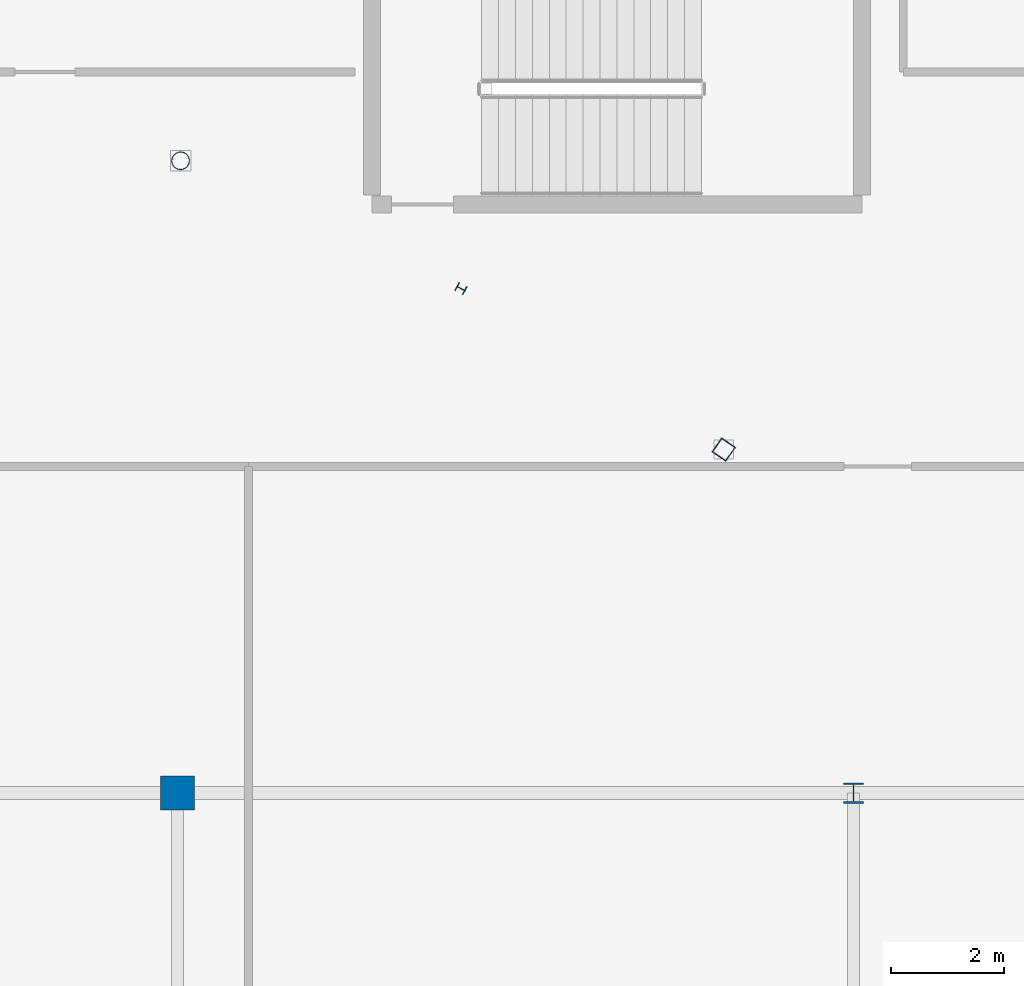
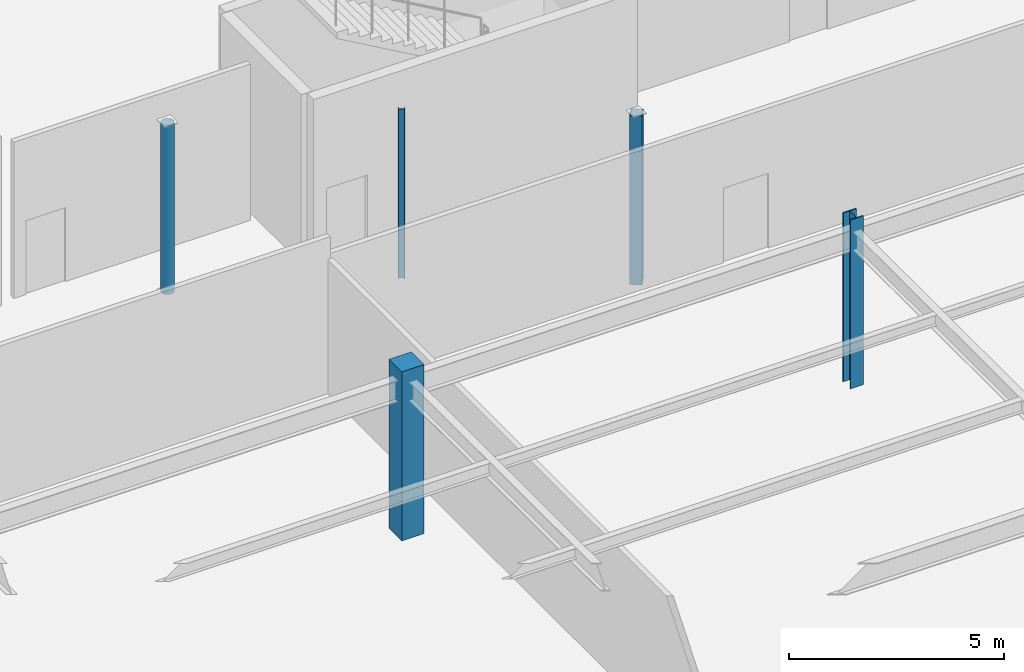
# One storey, part 35 of 199: 5 columns.
"""IFC4 building model written with IfcOpenShell, lengths in metres."""

import ifcopenshell
import ifcopenshell.guid

model = None  # the IFC model being written
_history = None  # IfcOwnerHistory: only IFC2X3 demands one
_inside = {}  # id of a spatial element -> (the spatial element, [elements in it])
_under = {}  # id of a project, library or spatial element -> (it, [spatial elements below it])
_declared = {}  # id of a project -> (the project, [libraries it declares])
_typed = {}  # id of a type object -> (the type object, [elements of that type])
_made_of = {}  # id of a material, layer set ... -> (it, [elements and type objects made of it])


def new_model(schema):
    """Start an empty IFC model of exactly this schema.

    Asked for "IFC4X3", IfcOpenShell would pick the latest addendum, in which some entities
    have other attributes; the version numbers below select the first issue.
    IFC2X3 requires an IfcOwnerHistory on every rooted entity: one is made here for all.
    """
    global model, _history
    if schema == "IFC4X3":
        model = ifcopenshell.file(schema_version=(4, 3, 0, 0))
    else:
        model = ifcopenshell.file(schema=schema)
    _inside.clear()
    _under.clear()
    _declared.clear()
    _typed.clear()
    _made_of.clear()
    _history = None
    if model.schema == "IFC2X3":
        org = make("IfcOrganization", Name="unknown")
        user = make(
            "IfcPersonAndOrganization",
            ThePerson=make("IfcPerson", FamilyName="unknown"),
            TheOrganization=org,
        )
        app = make(
            "IfcApplication",
            ApplicationDeveloper=org,
            Version="unknown",
            ApplicationFullName="unknown",
            ApplicationIdentifier="unknown",
        )
        _history = make(
            "IfcOwnerHistory",
            OwningUser=user,
            OwningApplication=app,
            ChangeAction="ADDED",
            CreationDate=0,
        )
    return model


def make(cls, **values):
    """One entity of the class cls with the attributes given. An attribute that is None is left unset."""
    return model.create_entity(
        cls, **{name: value for name, value in values.items() if value is not None}
    )


def rooted(cls, **values):
    """An entity with a GlobalId (a new one), such as an element, a storey or a relation."""
    return make(cls, GlobalId=ifcopenshell.guid.new(), OwnerHistory=_history, **values)


def si_unit(unit_type, name, prefix=None):
    """IfcSIUnit, for example si_unit("LENGTHUNIT", "METRE", prefix="MILLI")."""
    return make("IfcSIUnit", UnitType=unit_type, Prefix=prefix, Name=name)


def assignment(units):
    """IfcUnitAssignment: the units of a project."""
    return None if units is None else make("IfcUnitAssignment", Units=units)


def point(xyz):
    """IfcCartesianPoint."""
    return None if xyz is None else make("IfcCartesianPoint", Coordinates=xyz)


def direction(xyz):
    """IfcDirection."""
    return None if xyz is None else make("IfcDirection", DirectionRatios=xyz)


def frame(location, z_axis=None, x_axis=None):
    """IfcAxis2Placement3D, a coordinate frame: its origin and axes. An axis left out is left unset."""
    return make(
        "IfcAxis2Placement3D",
        Location=point(location),
        Axis=direction(z_axis),
        RefDirection=direction(x_axis),
    )


def frame_2d(location, x_axis=None):
    """IfcAxis2Placement2D, a coordinate frame in the plane: its origin and x axis."""
    return make(
        "IfcAxis2Placement2D", Location=point(location), RefDirection=direction(x_axis)
    )


def origin():
    """The frame at (0, 0, 0) with its axes left unset."""
    return frame((0.0, 0.0, 0.0))


def origin_2d():
    """The frame at (0, 0) in the plane with its x axis left unset."""
    return frame_2d((0.0, 0.0))


def place(relative_to, where):
    """IfcLocalPlacement: puts the frame where relative to a parent placement (None: the world)."""
    return make(
        "IfcLocalPlacement", PlacementRelTo=relative_to, RelativePlacement=where
    )


def context(
    kind, dimensions, precision=None, world=None, true_north=None, identifier=None
):
    """IfcGeometricRepresentationContext, for example the 3D "Model" context."""
    return make(
        "IfcGeometricRepresentationContext",
        ContextIdentifier=identifier,
        ContextType=kind,
        CoordinateSpaceDimension=dimensions,
        Precision=precision,
        WorldCoordinateSystem=world,
        TrueNorth=true_north,
    )


def subcontext(parent, identifier, kind, view, scale=None):
    """IfcGeometricRepresentationSubContext, for example "Body" below "Model"."""
    return make(
        "IfcGeometricRepresentationSubContext",
        ContextIdentifier=identifier,
        ContextType=kind,
        ParentContext=parent,
        TargetScale=scale,
        TargetView=view,
    )


def project(units=None, contexts=None):
    """IfcProject with its units and contexts."""
    return rooted(
        "IfcProject",
        Name="project",
        RepresentationContexts=contexts,
        UnitsInContext=assignment(units),
    )


def spatial(cls, under=None, at=None, **own):
    """A site, building, storey or space (cls), placed at a placement, below another one or the project."""
    s = rooted(cls, ObjectPlacement=at, **own)
    if under is not None:
        _under.setdefault(under.id(), (under, []))[1].append(s)
    return s


def profile(cls, at=None, kind="AREA", **sizes):
    """A parametric profile (cls). Its sizes go by their IFC names, for example OverallWidth=200.0."""
    return make(cls, ProfileType=kind, Position=at, **sizes)


def rectangle(**sizes):
    """IfcRectangleProfileDef."""
    return profile("IfcRectangleProfileDef", **sizes)


def hollow_rectangle(**sizes):
    """IfcRectangleHollowProfileDef."""
    return profile("IfcRectangleHollowProfileDef", **sizes)


def hollow_circle(**sizes):
    """IfcCircleHollowProfileDef."""
    return profile("IfcCircleHollowProfileDef", **sizes)


def i_section(**sizes):
    """IfcIShapeProfileDef."""
    return profile("IfcIShapeProfileDef", **sizes)


def extrude(swept, where, along, depth):
    """IfcExtrudedAreaSolid: the profile swept, set in the frame where, extruded along a direction by depth."""
    return make(
        "IfcExtrudedAreaSolid",
        SweptArea=swept,
        Position=where,
        ExtrudedDirection=direction(along),
        Depth=depth,
    )


def shape(context_of_items, identifier, shape_type, items):
    """IfcShapeRepresentation: the items that make up one representation, for example the "Body"."""
    return make(
        "IfcShapeRepresentation",
        ContextOfItems=context_of_items,
        RepresentationIdentifier=identifier,
        RepresentationType=shape_type,
        Items=items,
    )


def material(Name=None, Category=None):
    """IfcMaterial."""
    return make("IfcMaterial", Name=Name, Category=Category)


def material_profile(
    of_material, cross_section, Name=None, Category=None, Priority=None
):
    """IfcMaterialProfile: a cross section and its material."""
    return make(
        "IfcMaterialProfile",
        Name=Name,
        Material=of_material,
        Profile=cross_section,
        Priority=Priority,
        Category=Category,
    )


def profile_set(profiles, Name=None, composite=None):
    """IfcMaterialProfileSet."""
    return make(
        "IfcMaterialProfileSet",
        Name=Name,
        MaterialProfiles=profiles,
        CompositeProfile=composite,
    )


def made_of(thing, what):
    """Note that an element or type object is made of a material, layer set ...; save() writes the relation."""
    if what is not None:
        _made_of.setdefault(what.id(), (what, []))[1].append(thing)
    return thing


def type_object(cls, material=None, **own):
    """A type object (cls), such as IfcWallType, which elements share."""
    return made_of(rooted(cls, **own), material)


def element(
    cls,
    number,
    at=None,
    inside=None,
    cuts=None,
    type_object=None,
    material=None,
    context=None,
    identifier="Body",
    shape_type=None,
    held_by="IfcProductDefinitionShape",
    body=None,
    shapes=None,
    **own,
):
    """One element of the class cls, such as IfcWall. Its Tag is "e" and its number.

    at: its placement. inside: the storey or other place that contains it. cuts: it is an
    opening in that element (IfcRelVoidsElement). A single representation is given by context,
    identifier, shape_type and body (its items); several are given by shapes. held_by: the class
    of the entity that holds the representations. save() writes the other relations.
    """
    e = rooted(cls, Tag="e%d" % number, ObjectPlacement=at, **own)
    if body is not None:
        shapes = [shape(context, identifier, shape_type, body)]
    if shapes is not None:
        e.Representation = make(held_by, Representations=shapes)
    if inside is not None:
        _inside.setdefault(inside.id(), (inside, []))[1].append(e)
    if cuts is not None:
        rooted(
            "IfcRelVoidsElement", RelatingBuildingElement=cuts, RelatedOpeningElement=e
        )
    if type_object is not None:
        _typed.setdefault(type_object.id(), (type_object, []))[1].append(e)
    return made_of(e, material)


def aggregate(whole, parts):
    """IfcRelAggregates: a whole, such as a stair, and the parts it consists of."""
    return rooted("IfcRelAggregates", RelatingObject=whole, RelatedObjects=parts)


def save(model, path):
    """Write the relations noted so far, then the file.

    IfcRelAggregates (storeys below a building ...), IfcRelContainedInSpatialStructure (elements
    in a storey), IfcRelDefinesByType, IfcRelAssociatesMaterial and IfcRelDeclares: one each for
    every whole, place, type object, material and project.
    """
    for whole, parts in _under.values():
        aggregate(whole, parts)
    for where, things in _inside.values():
        rooted(
            "IfcRelContainedInSpatialStructure",
            RelatedElements=things,
            RelatingStructure=where,
        )
    for kind, things in _typed.values():
        rooted("IfcRelDefinesByType", RelatedObjects=things, RelatingType=kind)
    for what, things in _made_of.values():
        rooted("IfcRelAssociatesMaterial", RelatedObjects=things, RelatingMaterial=what)
    for by, libraries in _declared.values():
        rooted("IfcRelDeclares", RelatingContext=by, RelatedDefinitions=libraries)
    model.write(path)


model = new_model("IFC4")

# Units and contexts
model_context = context("Model", 3, precision=1e-05, world=origin(), true_north=direction((0.0, 1.0)))
body_context = subcontext(model_context, "Body", "Model", "MODEL_VIEW")
ifc_project = project(units=[si_unit("LENGTHUNIT", "METRE"), si_unit("AREAUNIT", "SQUARE_METRE"), si_unit("VOLUMEUNIT", "CUBIC_METRE"), si_unit("PLANEANGLEUNIT", "RADIAN"), si_unit("MASSUNIT", "GRAM", prefix="KILO")], contexts=[model_context])

# Site, building, storey
site_placement = place(None, origin())
site = spatial("IfcSite", under=ifc_project, at=site_placement, CompositionType="ELEMENT")
building_placement = place(site_placement, origin())
building = spatial("IfcBuilding", under=site, at=building_placement, Name="Tarnwether General Hospital", CompositionType="ELEMENT")
storey_placement = place(building_placement, origin())
storey = spatial("IfcBuildingStorey", under=building, at=storey_placement, Name="L00", CompositionType="ELEMENT", Elevation=0.0)

# Columns
ifc_material_1 = material(Name="Steel Grade 350 (350 MPa)", Category="steel")
ifc_material_profile_1 = material_profile(ifc_material_1, i_section(OverallWidth=0.35009765625, OverallDepth=0.360107421875, WebThickness=0.01611328125, FlangeThickness=0.028076171875, at=origin_2d()), Name="350WC230")
ifc_profile_set_1 = profile_set([ifc_material_profile_1], Name="Steel Grade 350 (350 MPa)")
column_type_1 = type_object("IfcColumnType", Name="COL-03", PredefinedType="COLUMN", material=ifc_profile_set_1)
column_1_placement = place(storey_placement, frame((120.0, 93.60009765625, 0.0), z_axis=(0.0, 0.0, 1.0), x_axis=(1.0, 0.0, 0.0)))
element("IfcColumn", 1, at=column_1_placement, inside=storey, type_object=column_type_1, Name="Column COLG-L00-12000_9360", PredefinedType="COLUMN", context=body_context, shape_type="SweptSolid", body=[
    extrude(i_section(OverallWidth=0.35009765625, OverallDepth=0.360107421875, WebThickness=0.01611328125, FlangeThickness=0.028076171875, at=origin_2d()), origin(), (0.0, 0.0, 1.0), 4.800048828125),
])
ifc_material_2 = material(Name="Concrete 50 MPa", Category="concrete")
ifc_material_profile_2 = material_profile(ifc_material_2, rectangle(XDim=0.60009765625, YDim=0.60009765625, at=origin_2d()), Name="RC-COL-600x600")
ifc_profile_set_2 = profile_set([ifc_material_profile_2], Name="Concrete 50 MPa")
column_type_2 = type_object("IfcColumnType", Name="COL-19", PredefinedType="COLUMN", material=ifc_profile_set_2)
column_2_placement = place(storey_placement, frame((108.0, 93.60009765625, 0.0), z_axis=(0.0, 0.0, 1.0), x_axis=(0.0, 1.0, 0.0)))
element("IfcColumn", 2, at=column_2_placement, inside=storey, type_object=column_type_2, Name="Column COLG-L00-10800_9360", PredefinedType="COLUMN", context=body_context, shape_type="SweptSolid", body=[
    extrude(rectangle(XDim=0.60009765625, YDim=0.60009765625, at=origin_2d()), origin(), (0.0, 0.0, 1.0), 4.800048828125),
])
ifc_material_3 = material(Name="Steel Grade C350L0 (350 MPa)", Category="steel")
ifc_material_profile_3 = material_profile(ifc_material_3, hollow_circle(Radius=0.161865234375, WallThickness=0.0126953125, at=origin_2d()), Name="CHS323.9x12.7")
ifc_profile_set_3 = profile_set([ifc_material_profile_3], Name="Steel Grade C350L0 (350 MPa)")
column_type_3 = type_object("IfcColumnType", Name="COL-26", PredefinedType="COLUMN", material=ifc_profile_set_3)
column_3_placement = place(storey_placement, frame((108.054931640625, 104.823974609375, 0.0), z_axis=(0.0, 0.0, 1.0), x_axis=(0.358367949545, 0.933580426497, 0.0)))
element("IfcColumn", 3, at=column_3_placement, inside=storey, type_object=column_type_3, Name="Column COLG-L00-10806_10482", PredefinedType="COLUMN", context=body_context, shape_type="SweptSolid", body=[
    extrude(hollow_circle(Radius=0.161865234375, WallThickness=0.0126953125, at=origin_2d()), origin(), (0.0, 0.0, 1.0), 4.800048828125),
])
ifc_material_4 = material(Name="Steel Grade 350 (350 MPa)", Category="steel")
ifc_material_profile_4 = material_profile(ifc_material_4, i_section(OverallWidth=0.154052734375, OverallDepth=0.162109375, WebThickness=0.008056640625, FlangeThickness=0.011474609375, at=origin_2d()), Name="150UC37.2")
ifc_profile_set_4 = profile_set([ifc_material_profile_4], Name="Steel Grade 350 (350 MPa)")
column_type_4 = type_object("IfcColumnType", Name="COL-28", PredefinedType="COLUMN", material=ifc_profile_set_4)
column_4_placement = place(storey_placement, frame((113.031982421875, 102.555908203125, 0.0), z_axis=(0.0, 0.0, 1.0), x_axis=(0.469471562786, 0.882947592859, 0.0)))
element("IfcColumn", 4, at=column_4_placement, inside=storey, type_object=column_type_4, Name="Column COLG-L00-11303_10256", PredefinedType="COLUMN", context=body_context, shape_type="SweptSolid", body=[
    extrude(i_section(OverallWidth=0.154052734375, OverallDepth=0.162109375, WebThickness=0.008056640625, FlangeThickness=0.011474609375, at=origin_2d()), origin(), (0.0, 0.0, 1.0), 4.800048828125),
])
ifc_material_5 = material(Name="Steel Grade C350L0 (350 MPa)", Category="steel")
ifc_material_profile_5 = material_profile(ifc_material_5, hollow_rectangle(XDim=0.300048828125, YDim=0.300048828125, WallThickness=0.012451171875, at=origin_2d()), Name="SHS300x300x12.5")
ifc_profile_set_5 = profile_set([ifc_material_profile_5], Name="Steel Grade C350L0 (350 MPa)")
column_type_5 = type_object("IfcColumnType", Name="COL-30", PredefinedType="COLUMN", material=ifc_profile_set_5)
column_5_placement = place(storey_placement, frame((117.696044921875, 99.697998046875, 0.0), z_axis=(0.0, 0.0, 1.0), x_axis=(0.573576436351, 0.819152044289, 0.0)))
element("IfcColumn", 5, at=column_5_placement, inside=storey, type_object=column_type_5, Name="Column COLG-L00-11770_9970", PredefinedType="COLUMN", context=body_context, shape_type="SweptSolid", body=[
    extrude(hollow_rectangle(XDim=0.300048828125, YDim=0.300048828125, WallThickness=0.012451171875, at=origin_2d()), origin(), (0.0, 0.0, 1.0), 4.800048828125),
])

save(model, "model.ifc")
